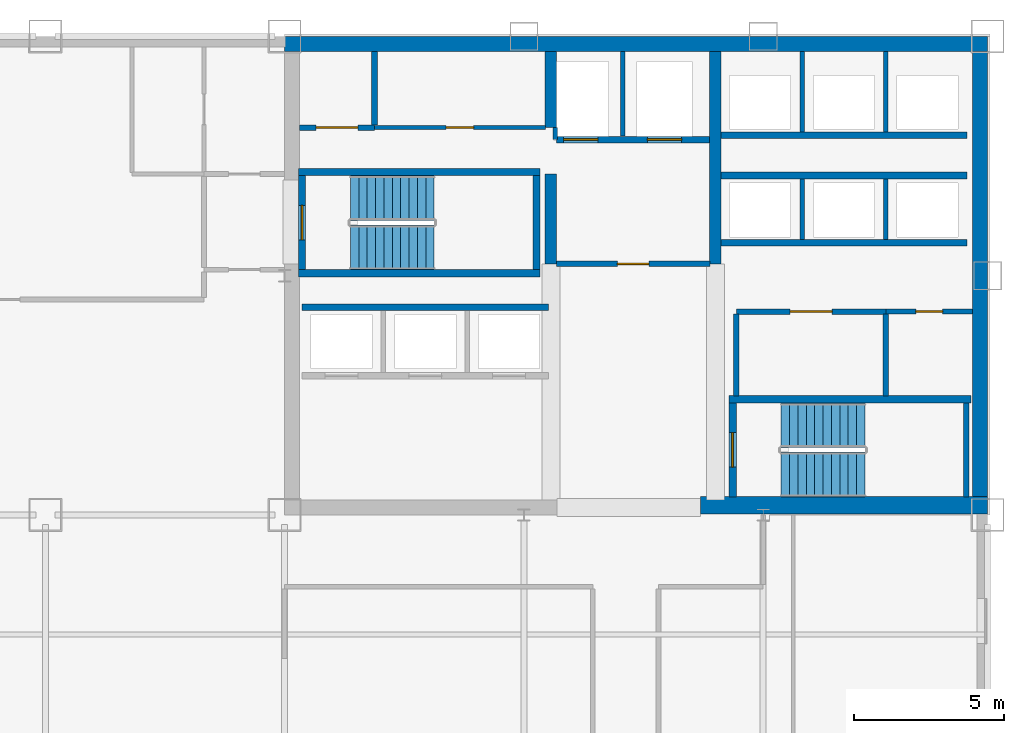
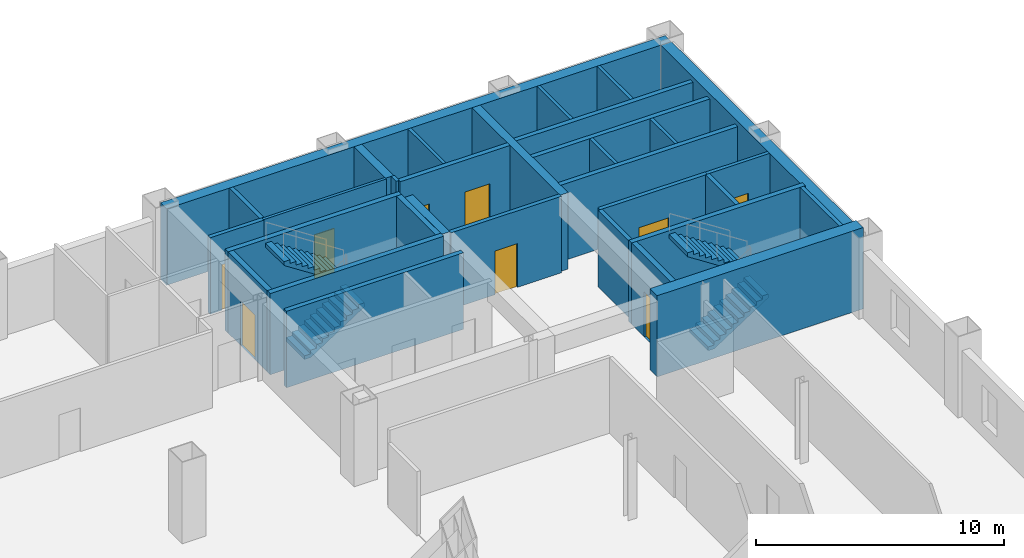
# One storey, part 7 of 9: 32 walls, 9 doors, 4 stair flights, 9 openings, 2 elements without a shape of their own.
"""IFC4 building model written with IfcOpenShell, lengths in metres."""

from ifc_helpers import new_model, si_unit, direction, frame, frame_2d, origin, place, context, subcontext, project, spatial, polyline, rectangle, outline, extrude, material, layer, layer_set, type_object, element, fill, aggregate, save


model = new_model("IFC4")

# Units and contexts
model_context = context("Model", 3, precision=1e-05, world=origin(), true_north=direction((0.0, 1.0)))
body_context = subcontext(model_context, "Body", "Model", "MODEL_VIEW")
ifc_project = project(units=[si_unit("LENGTHUNIT", "METRE"), si_unit("AREAUNIT", "SQUARE_METRE"), si_unit("VOLUMEUNIT", "CUBIC_METRE"), si_unit("PLANEANGLEUNIT", "RADIAN"), si_unit("MASSUNIT", "GRAM", prefix="KILO")], contexts=[model_context])

# Site, building, storey
site_placement = place(None, origin())
site = spatial("IfcSite", under=ifc_project, at=site_placement, CompositionType="ELEMENT")
building_placement = place(site_placement, origin())
building = spatial("IfcBuilding", under=site, at=building_placement, Name="Qianrong Seaharbour Tower", CompositionType="ELEMENT")
storey_placement = place(building_placement, frame((0.0, 0.0, 163.0)))
storey = spatial("IfcBuildingStorey", under=building, at=storey_placement, Name="L39", CompositionType="ELEMENT", Elevation=163.0)

# Walls
ifc_material_1 = material(Name="Concrete C60/75", Category="concrete")
ifc_layer_1 = layer(ifc_material_1, 0.5)
ifc_layer_set_1 = layer_set([ifc_layer_1], Name="Concrete C60/75")
wall_type_1 = type_object("IfcWallType", Name="WALL-CORE-500", PredefinedType="SHEAR", material=ifc_layer_set_1)
wall_1_placement = place(storey_placement, frame((40.5, 51.75, 0.0), z_axis=(0.0, 0.0, 1.0), x_axis=(1.0, 0.0, 0.0)))
element("IfcWall", 1, at=wall_1_placement, inside=storey, type_object=wall_type_1, Name="L39 North Core Shear Wall", PredefinedType="SHEAR", context=body_context, shape_type="SweptSolid", body=[
    extrude(rectangle(XDim=23.5, YDim=0.5, at=frame_2d((11.75, 0.0))), origin(), (0.0, 0.0, 1.0), 3.764892578125),
])
wall_2_placement = place(storey_placement, frame((63.75, 36.320068359375, 0.0), z_axis=(0.0, 0.0, 1.0), x_axis=(0.0, 1.0, 0.0)))
element("IfcWall", 2, at=wall_2_placement, inside=storey, type_object=wall_type_1, Name="L39 East Core Shear Wall", PredefinedType="SHEAR", context=body_context, shape_type="SweptSolid", body=[
    extrude(rectangle(XDim=15.179931640625, YDim=0.5, at=frame_2d((7.58984375, 0.0))), origin(), (0.0, 0.0, 1.0), 3.764892578125),
])
ifc_material_2 = material(Name="Concrete C70/85", Category="concrete")
ifc_layer_2 = layer(ifc_material_2, 0.580078125)
ifc_layer_set_2 = layer_set([ifc_layer_2], Name="Concrete C70/85")
wall_type_2 = type_object("IfcWallType", Name="WALL-CORE-580", PredefinedType="SHEAR", material=ifc_layer_set_2)
wall_3_placement = place(storey_placement, frame((54.39990234375, 36.320068359375, 0.0), z_axis=(0.0, 0.0, 1.0), x_axis=(1.0, 0.0, 0.0)))
element("IfcWall", 3, at=wall_3_placement, inside=storey, type_object=wall_type_2, Name="L39 South Core Shear Wall S3", PredefinedType="SHEAR", context=body_context, shape_type="SweptSolid", body=[
    extrude(rectangle(XDim=9.60009765625, YDim=0.580078125, at=frame_2d((4.800048828125, 0.0))), origin(), (0.0, 0.0, 1.0), 4.0),
])
ifc_layer_3 = layer(ifc_material_1, 0.3798828125)
ifc_layer_set_3 = layer_set([ifc_layer_3], Name="Concrete C60/75")
wall_type_3 = type_object("IfcWallType", Name="WALL-CORE-INT-380", PredefinedType="SHEAR", material=ifc_layer_set_3)
wall_4_placement = place(storey_placement, frame((49.39990234375, 44.39990234375, 0.0), z_axis=(0.0, 0.0, 1.0), x_axis=(0.0, 1.0, 0.0)))
element("IfcWall", 4, at=wall_4_placement, inside=storey, type_object=wall_type_3, Name="L39 Internal Core Shear Wall IW1N1", PredefinedType="SHEAR", context=body_context, shape_type="SweptSolid", body=[
    extrude(rectangle(XDim=3.0, YDim=0.3798828125, at=frame_2d((1.5, 0.0))), origin(), (0.0, 0.0, 1.0), 3.764892578125),
])
wall_5_placement = place(storey_placement, frame((49.39990234375, 48.949951171875, 0.0), z_axis=(0.0, 0.0, 1.0), x_axis=(0.0, 1.0, 0.0)))
element("IfcWall", 5, at=wall_5_placement, inside=storey, type_object=wall_type_3, Name="L39 Internal Core Shear Wall IW1N2", PredefinedType="SHEAR", context=body_context, shape_type="SweptSolid", body=[
    extrude(rectangle(XDim=2.550048828125, YDim=0.3798828125, at=frame_2d((1.27490234375, 0.0))), origin(), (0.0, 0.0, 1.0), 3.764892578125),
])
wall_6_placement = place(storey_placement, frame((54.89990234375, 44.39990234375, 0.0), z_axis=(0.0, 0.0, 1.0), x_axis=(0.0, 1.0, 0.0)))
element("IfcWall", 6, at=wall_6_placement, inside=storey, type_object=wall_type_3, Name="L39 Internal Core Shear Wall IW2N", PredefinedType="SHEAR", context=body_context, shape_type="SweptSolid", body=[
    extrude(rectangle(XDim=7.10009765625, YDim=0.3798828125, at=frame_2d((3.550048828125, 0.0))), origin(), (0.0, 0.0, 1.0), 3.764892578125),
])

# Wall, opening, door
ifc_material_3 = material(Name="Fire-rated acoustic gypsum board partition")
ifc_layer_4 = layer(ifc_material_3, 0.1650390625)
ifc_layer_set_4 = layer_set([ifc_layer_4], Name="Fire-rated acoustic gypsum board partition")
wall_type_4 = type_object("IfcWallType", Name="WALL-CORR-PART-165", PredefinedType="PARTITIONING", material=ifc_layer_set_4)
wall_7_placement = place(storey_placement, frame((63.5, 42.800048828125, 0.0), z_axis=(0.0, 0.0, 1.0), x_axis=(-1.0, 0.0, 0.0)))
wall_7 = element("IfcWall", 7, at=wall_7_placement, inside=storey, type_object=wall_type_4, Name="L39 Interior Partition Wall 012", PredefinedType="PARTITIONING", context=body_context, shape_type="SweptSolid", body=[
    extrude(rectangle(XDim=2.89990234375, YDim=0.1650390625, at=frame_2d((1.449951171875, 0.0))), origin(), (0.0, 0.0, 1.0), 3.764892578125),
])
opening_1_placement = place(wall_7_placement, frame((1.0, 0.0, 0.0)))
opening_1 = element("IfcOpeningElement", 8, at=opening_1_placement, cuts=wall_7, Name="Opening DS-01", PredefinedType="OPENING", context=body_context, shape_type="SweptSolid", body=[
    extrude(rectangle(XDim=0.89990234375, YDim=2.14990234375, at=frame_2d((0.449951171875, 1.074951171875))), frame((0.0, 0.092529296875, 0.0), z_axis=(0.0, -1.0, 0.0), x_axis=(1.0, 0.0, 0.0)), (0.0, 0.0, 1.0), 0.18505859375),
])
ifc_material_4 = material(Name="Acoustic timber and galvanized steel fire door assembly", Category="steel")
door_type_1 = type_object("IfcDoorType", Name="DOOR-STORE-900x2150", OperationType="NOTDEFINED", PredefinedType="DOOR", material=ifc_material_4)
door_1_placement = place(opening_1_placement, origin())
door_1 = element("IfcDoor", 9, at=door_1_placement, inside=storey, type_object=door_type_1, Name="L39 Housekeeping Linen Store Door", OperationType="SINGLE_SWING_RIGHT", OverallHeight=2.14990234375, OverallWidth=0.89990234375, PredefinedType="DOOR", context=body_context, shape_type="SweptSolid", body=[
    extrude(rectangle(XDim=0.89990234375, YDim=2.14990234375, at=frame_2d((0.449951171875, 1.074951171875))), frame((0.0, 0.02490234375, 0.0), z_axis=(0.0, -1.0, 0.0), x_axis=(1.0, 0.0, 0.0)), (0.0, 0.0, 1.0), 0.050048828125),
])
fill(opening_1, door_1)

ifc_material_5 = material(Name="Double fire-rated gypsum board acoustic partition")
ifc_layer_5 = layer(ifc_material_5, 0.18994140625)
ifc_layer_set_5 = layer_set([ifc_layer_5], Name="Double fire-rated gypsum board acoustic partition")
wall_type_5 = type_object("IfcWallType", Name="WALL-FIRE-PART-190", PredefinedType="PARTITIONING", material=ifc_layer_set_5)
wall_8_placement = place(storey_placement, frame((41.0, 48.949951171875, 0.0), z_axis=(0.0, 0.0, 1.0), x_axis=(1.0, 0.0, 0.0)))
wall_8 = element("IfcWall", 10, at=wall_8_placement, inside=storey, type_object=wall_type_5, Name="L39 Interior Partition Wall 007", PredefinedType="PARTITIONING", context=body_context, shape_type="SweptSolid", body=[
    extrude(rectangle(XDim=2.5, YDim=0.18994140625, at=frame_2d((1.25, 0.0))), origin(), (0.0, 0.0, 1.0), 3.764892578125),
])
opening_2_placement = place(wall_8_placement, frame((0.550048828125, 0.0, 0.0)))
opening_2 = element("IfcOpeningElement", 11, at=opening_2_placement, cuts=wall_8, Name="Opening DP-01", PredefinedType="OPENING", context=body_context, shape_type="SweptSolid", body=[
    extrude(rectangle(XDim=1.39990234375, YDim=2.25, at=frame_2d((0.699951171875, 1.125))), frame((0.0, 0.10498046875, 0.0), z_axis=(0.0, -1.0, 0.0), x_axis=(1.0, 0.0, 0.0)), (0.0, 0.0, 1.0), 0.2099609375),
])
door_type_2 = type_object("IfcDoorType", Name="DOOR-PLANT-PAIR-1400x2250", OperationType="DOUBLE_DOOR_SINGLE_SWING", PredefinedType="DOOR", material=ifc_material_4)
door_2_placement = place(opening_2_placement, origin())
door_2 = element("IfcDoor", 12, at=door_2_placement, inside=storey, type_object=door_type_2, Name="L39 Core Electrical Closet Door", OperationType="DOUBLE_DOOR_SINGLE_SWING", OverallHeight=2.25, OverallWidth=1.39990234375, PredefinedType="DOOR", context=body_context, shape_type="SweptSolid", body=[
    extrude(rectangle(XDim=1.39990234375, YDim=2.25, at=frame_2d((0.699951171875, 1.125))), frame((0.0, 0.02490234375, 0.0), z_axis=(0.0, -1.0, 0.0), x_axis=(1.0, 0.0, 0.0)), (0.0, 0.0, 1.0), 0.050048828125),
])
fill(opening_2, door_2)

wall_9_placement = place(storey_placement, frame((54.718017578125, 44.39990234375, 0.0), z_axis=(0.0, 0.0, 1.0), x_axis=(-1.0, 0.0, 0.0)))
wall_9 = element("IfcWall", 13, at=wall_9_placement, inside=storey, type_object=wall_type_5, Name="L39 Interior Partition Wall 009", PredefinedType="PARTITIONING", context=body_context, shape_type="SweptSolid", body=[
    extrude(rectangle(XDim=5.135986328125, YDim=0.18994140625, at=frame_2d((2.56787109375, 0.0))), origin(), (0.0, 0.0, 1.0), 3.764892578125),
])
opening_3_placement = place(wall_9_placement, frame((2.04296875, 0.0, 0.0)))
opening_3 = element("IfcOpeningElement", 14, at=opening_3_placement, cuts=wall_9, Name="Opening DC-01", PredefinedType="OPENING", context=body_context, shape_type="SweptSolid", body=[
    extrude(rectangle(XDim=1.050048828125, YDim=2.14990234375, at=frame_2d((0.52490234375, 1.074951171875))), frame((0.0, 0.10498046875, 0.0), z_axis=(0.0, -1.0, 0.0), x_axis=(1.0, 0.0, 0.0)), (0.0, 0.0, 1.0), 0.2099609375),
])
door_type_3 = type_object("IfcDoorType", Name="DOOR-CORR-FD60-1050x2150", OperationType="NOTDEFINED", PredefinedType="DOOR", material=ifc_material_4)
door_3_placement = place(opening_3_placement, origin())
door_3 = element("IfcDoor", 15, at=door_3_placement, inside=storey, type_object=door_type_3, Name="L39 Firefighting Lift Lobby Door", OperationType="SINGLE_SWING_RIGHT", OverallHeight=2.14990234375, OverallWidth=1.050048828125, PredefinedType="DOOR", context=body_context, shape_type="SweptSolid", body=[
    extrude(rectangle(XDim=1.050048828125, YDim=2.14990234375, at=frame_2d((0.52490234375, 1.074951171875))), frame((0.0, 0.02490234375, 0.0), z_axis=(0.0, -1.0, 0.0), x_axis=(1.0, 0.0, 0.0)), (0.0, 0.0, 1.0), 0.050048828125),
])
fill(opening_3, door_3)

# Wall
wall_10_placement = place(storey_placement, frame((55.60009765625, 42.712890625, 0.0), z_axis=(0.0, 0.0, 1.0), x_axis=(0.0, -1.0, 0.0)))
element("IfcWall", 16, at=wall_10_placement, inside=storey, type_object=wall_type_5, Name="L39 Interior Partition Wall 010", PredefinedType="PARTITIONING", context=body_context, shape_type="SweptSolid", body=[
    extrude(rectangle(XDim=2.73095703125, YDim=0.18994140625, at=frame_2d((1.365478515625, 0.0))), origin(), (0.0, 0.0, 1.0), 3.764892578125),
])

# Wall, opening, door
wall_11_placement = place(storey_placement, frame((60.60009765625, 42.800048828125, 0.0), z_axis=(0.0, 0.0, 1.0), x_axis=(-1.0, 0.0, 0.0)))
wall_11 = element("IfcWall", 17, at=wall_11_placement, inside=storey, type_object=wall_type_5, Name="L39 Interior Partition Wall 011", PredefinedType="PARTITIONING", context=body_context, shape_type="SweptSolid", body=[
    extrude(rectangle(XDim=5.0, YDim=0.18994140625, at=frame_2d((2.5, 0.0))), origin(), (0.0, 0.0, 1.0), 3.764892578125),
])
opening_4_placement = place(wall_11_placement, frame((1.800048828125, 0.0, 0.0)))
opening_4 = element("IfcOpeningElement", 18, at=opening_4_placement, cuts=wall_11, Name="Opening DP-01", PredefinedType="OPENING", context=body_context, shape_type="SweptSolid", body=[
    extrude(rectangle(XDim=1.39990234375, YDim=2.25, at=frame_2d((0.699951171875, 1.125))), frame((0.0, 0.10498046875, 0.0), z_axis=(0.0, -1.0, 0.0), x_axis=(1.0, 0.0, 0.0)), (0.0, 0.0, 1.0), 0.2099609375),
])
door_4_placement = place(opening_4_placement, origin())
door_4 = element("IfcDoor", 19, at=door_4_placement, inside=storey, type_object=door_type_2, Name="L39 Submetering Switch Room Door", OperationType="DOUBLE_DOOR_SINGLE_SWING", OverallHeight=2.25, OverallWidth=1.39990234375, PredefinedType="DOOR", context=body_context, shape_type="SweptSolid", body=[
    extrude(rectangle(XDim=1.39990234375, YDim=2.25, at=frame_2d((0.699951171875, 1.125))), frame((0.0, 0.02490234375, 0.0), z_axis=(0.0, -1.0, 0.0), x_axis=(1.0, 0.0, 0.0)), (0.0, 0.0, 1.0), 0.050048828125),
])
fill(opening_4, door_4)

# Walls
wall_12_placement = place(storey_placement, frame((43.5, 51.5, 0.0), z_axis=(0.0, 0.0, 1.0), x_axis=(0.0, -1.0, 0.0)))
element("IfcWall", 20, at=wall_12_placement, inside=storey, type_object=wall_type_5, Name="L39 Interior Partition Wall 013", PredefinedType="PARTITIONING", context=body_context, shape_type="SweptSolid", body=[
    extrude(rectangle(XDim=2.462890625, YDim=0.18994140625, at=frame_2d((1.2314453125, 0.0))), origin(), (0.0, 0.0, 1.0), 3.764892578125),
])
wall_13_placement = place(storey_placement, frame((60.60009765625, 42.712890625, 0.0), z_axis=(0.0, 0.0, 1.0), x_axis=(0.0, -1.0, 0.0)))
element("IfcWall", 21, at=wall_13_placement, inside=storey, type_object=wall_type_5, Name="L39 Interior Partition Wall 014", PredefinedType="PARTITIONING", context=body_context, shape_type="SweptSolid", body=[
    extrude(rectangle(XDim=2.73095703125, YDim=0.18994140625, at=frame_2d((1.365478515625, 0.0))), origin(), (0.0, 0.0, 1.0), 3.764892578125),
])
ifc_material_6 = material(Name="Fire-rated gypsum board on steel studs", Category="steel")
ifc_layer_6 = layer(ifc_material_6, 0.14990234375)
ifc_layer_set_6 = layer_set([ifc_layer_6], Name="Fire-rated gypsum board on steel studs")
wall_type_6 = type_object("IfcWallType", Name="WALL-SHAFT-DIV-150", PredefinedType="PARTITIONING", material=ifc_layer_set_6)
wall_14_placement = place(storey_placement, frame((51.800048828125, 48.669921875, 0.0), z_axis=(0.0, 0.0, 1.0), x_axis=(0.0, 1.0, 0.0)))
element("IfcWall", 22, at=wall_14_placement, inside=storey, type_object=wall_type_6, Name="L39 Firefighting Lift Shaft Divider Wall", PredefinedType="PARTITIONING", context=body_context, shape_type="SweptSolid", body=[
    extrude(rectangle(XDim=2.830078125, YDim=0.14990234375, at=frame_2d((1.4150390625, 0.0))), origin(), (0.0, 0.0, 1.0), 3.764892578125),
])
wall_15_placement = place(storey_placement, frame((49.550048828125, 48.550048828125, 0.0), z_axis=(0.0, 0.0, 1.0), x_axis=(0.0, 1.0, 0.0)))
element("IfcWall", 23, at=wall_15_placement, inside=storey, type_object=wall_type_6, Name="L39 Firefighting Lift Shaft West Return Wall", PredefinedType="PARTITIONING", context=body_context, shape_type="SweptSolid", body=[
    extrude(rectangle(XDim=0.39990234375, YDim=0.14990234375, at=frame_2d((0.199951171875, 0.0))), origin(), (0.0, 0.0, 1.0), 3.764892578125),
])
for number, where, z_axis, x_axis, name in (
    (24, (57.800048828125, 45.2099609375, 0.0), (0.0, 0.0, 1.0), (0.0, 1.0, 0.0), "L39 P3 Lift Hoistway Divider 2"),
    (25, (60.60009765625, 45.2099609375, 0.0), (0.0, 0.0, 1.0), (0.0, 1.0, 0.0), "L39 P3 Lift Hoistway Divider 3"),
):
    element("IfcWall", number, at=place(storey_placement, frame(where, z_axis=z_axis, x_axis=x_axis)), inside=storey, type_object=wall_type_6, Name=name, PredefinedType="PARTITIONING", context=body_context, shape_type="SweptSolid", body=[
        extrude(rectangle(XDim=2.030029296875, YDim=0.14990234375, at=frame_2d((1.01513671875, 0.0))), origin(), (0.0, 0.0, 1.0), 3.764892578125),
    ])
for number, where, z_axis, x_axis, name in (
    (26, (57.800048828125, 48.81005859375, 0.0), (0.0, 0.0, 1.0), (0.0, 1.0, 0.0), "L39 P4 Lift Hoistway Divider 2"),
    (27, (60.60009765625, 48.81005859375, 0.0), (0.0, 0.0, 1.0), (0.0, 1.0, 0.0), "L39 P4 Lift Hoistway Divider 3"),
):
    element("IfcWall", number, at=place(storey_placement, frame(where, z_axis=z_axis, x_axis=x_axis)), inside=storey, type_object=wall_type_6, Name=name, PredefinedType="PARTITIONING", context=body_context, shape_type="SweptSolid", body=[
        extrude(rectangle(XDim=2.68994140625, YDim=0.14990234375, at=frame_2d((1.344970703125, 0.0))), origin(), (0.0, 0.0, 1.0), 3.764892578125),
    ])

# Wall, openings, doors
ifc_layer_7 = layer(ifc_material_6, 0.219970703125)
ifc_layer_set_7 = layer_set([ifc_layer_7], Name="Fire-rated gypsum board on steel studs")
wall_type_7 = type_object("IfcWallType", Name="WALL-SHAFT-GYP220", PredefinedType="PARTITIONING", material=ifc_layer_set_7)
wall_16_placement = place(storey_placement, frame((54.7099609375, 48.550048828125, 0.0), z_axis=(0.0, 0.0, 1.0), x_axis=(-1.0, 0.0, 0.0)))
wall_16 = element("IfcWall", 28, at=wall_16_placement, inside=storey, type_object=wall_type_7, Name="L39 Firefighting Lift Shaft Front Wall", PredefinedType="PARTITIONING", context=body_context, shape_type="SweptSolid", body=[
    extrude(rectangle(XDim=5.119873046875, YDim=0.219970703125, at=frame_2d((2.56005859375, 0.0))), origin(), (0.0, 0.0, 1.0), 3.764892578125),
])
opening_5_placement = place(wall_16_placement, frame((3.735107421875, 0.0, 0.0)))
opening_5 = element("IfcOpeningElement", 29, at=opening_5_placement, cuts=wall_16, Name="Opening LD-01", PredefinedType="OPENING", context=body_context, shape_type="SweptSolid", body=[
    extrude(rectangle(XDim=1.14990234375, YDim=2.199951171875, at=frame_2d((0.574951171875, 1.10009765625))), frame((0.0, 0.1201171875, 0.0), z_axis=(0.0, -1.0, 0.0), x_axis=(1.0, 0.0, 0.0)), (0.0, 0.0, 1.0), 0.239990234375),
])
opening_6_placement = place(wall_16_placement, frame((0.93505859375, 0.0, 0.0)))
opening_6 = element("IfcOpeningElement", 30, at=opening_6_placement, cuts=wall_16, Name="Opening LD-01", PredefinedType="OPENING", context=body_context, shape_type="SweptSolid", body=[
    extrude(rectangle(XDim=1.14990234375, YDim=2.199951171875, at=frame_2d((0.574951171875, 1.10009765625))), frame((0.0, 0.1201171875, 0.0), z_axis=(0.0, -1.0, 0.0), x_axis=(1.0, 0.0, 0.0)), (0.0, 0.0, 1.0), 0.239990234375),
])
ifc_material_7 = material(Name="Stainless steel SUS316L bi-parting lift landing door", Category="steel")
door_type_4 = type_object("IfcDoorType", Name="DOOR-LIFT-FF-1150x2200", OperationType="DOUBLE_DOOR_SLIDING", PredefinedType="DOOR", material=ifc_material_7)
door_5_placement = place(opening_5_placement, origin())
door_5 = element("IfcDoor", 31, at=door_5_placement, inside=storey, type_object=door_type_4, Name="L39 FL-1 Firefighting Lift Landing Door", OperationType="DOUBLE_DOOR_SLIDING", OverallHeight=2.199951171875, OverallWidth=1.14990234375, PredefinedType="DOOR", context=body_context, shape_type="SweptSolid", body=[
    extrude(rectangle(XDim=1.14990234375, YDim=2.199951171875, at=frame_2d((0.574951171875, 1.10009765625))), frame((0.0, 0.02490234375, 0.0), z_axis=(0.0, -1.0, 0.0), x_axis=(1.0, 0.0, 0.0)), (0.0, 0.0, 1.0), 0.050048828125),
])
fill(opening_5, door_5)
door_6_placement = place(opening_6_placement, origin())
door_6 = element("IfcDoor", 32, at=door_6_placement, inside=storey, type_object=door_type_4, Name="L39 FL-2 Firefighting Lift Landing Door", OperationType="DOUBLE_DOOR_SLIDING", OverallHeight=2.199951171875, OverallWidth=1.14990234375, PredefinedType="DOOR", context=body_context, shape_type="SweptSolid", body=[
    extrude(rectangle(XDim=1.14990234375, YDim=2.199951171875, at=frame_2d((0.574951171875, 1.10009765625))), frame((0.0, 0.02490234375, 0.0), z_axis=(0.0, -1.0, 0.0), x_axis=(1.0, 0.0, 0.0)), (0.0, 0.0, 1.0), 0.050048828125),
])
fill(opening_6, door_6)

# Walls
for number, where, z_axis, x_axis, name in (
    (33, (41.080078125, 42.949951171875, 0.0), (0.0, 0.0, 1.0), (1.0, 0.0, 0.0), "L39 P2 Lift Hoistway Back Wall"),
    (34, (63.320068359375, 45.10009765625, 0.0), (0.0, 0.0, 1.0), (-1.0, 0.0, 0.0), "L39 P3 Lift Hoistway Front Wall"),
    (35, (55.080078125, 47.35009765625, 0.0), (0.0, 0.0, 1.0), (1.0, 0.0, 0.0), "L39 P3 Lift Hoistway Back Wall"),
    (36, (63.320068359375, 48.699951171875, 0.0), (0.0, 0.0, 1.0), (-1.0, 0.0, 0.0), "L39 P4 Lift Hoistway Front Wall"),
):
    element("IfcWall", number, at=place(storey_placement, frame(where, z_axis=z_axis, x_axis=x_axis)), inside=storey, type_object=wall_type_7, Name=name, PredefinedType="PARTITIONING", context=body_context, shape_type="SweptSolid", body=[
        extrude(rectangle(XDim=8.239990234375, YDim=0.219970703125, at=frame_2d((4.1201171875, 0.0))), origin(), (0.0, 0.0, 1.0), 3.764892578125),
    ])
ifc_material_8 = material(Name="Concrete C50/60", Category="concrete")
ifc_layer_8 = layer(ifc_material_8, 0.239990234375)
ifc_layer_set_8 = layer_set([ifc_layer_8], Name="Concrete C50/60")
wall_type_8 = type_object("IfcWallType", Name="WALL-SHAFT-RC240", PredefinedType="SOLIDWALL", material=ifc_layer_set_8)
for number, where, z_axis, x_axis, name in (
    (37, (40.9599609375, 47.469970703125, 0.0), (0.0, 0.0, 1.0), (1.0, 0.0, 0.0), "L39 ST-1 Structural Stair Core Wall N"),
    (38, (49.0400390625, 44.080078125, 0.0), (0.0, 0.0, 1.0), (-1.0, 0.0, 0.0), "L39 ST-1 Structural Stair Core Wall S"),
):
    element("IfcWall", number, at=place(storey_placement, frame(where, z_axis=z_axis, x_axis=x_axis)), inside=storey, type_object=wall_type_8, Name=name, PredefinedType="SOLIDWALL", context=body_context, shape_type="SweptSolid", body=[
        extrude(rectangle(XDim=8.080078125, YDim=0.239990234375, at=frame_2d((4.0400390625, 0.0))), origin(), (0.0, 0.0, 1.0), 4.0),
    ])

# Wall, opening, door
wall_17_placement = place(storey_placement, frame((41.080078125, 47.35009765625, 0.0), z_axis=(0.0, 0.0, 1.0), x_axis=(0.0, -1.0, 0.0)))
wall_17 = element("IfcWall", 39, at=wall_17_placement, inside=storey, type_object=wall_type_8, Name="L39 ST-1 Structural Stair Core Wall W", PredefinedType="SOLIDWALL", context=body_context, shape_type="SweptSolid", body=[
    extrude(rectangle(XDim=3.150146484375, YDim=0.239990234375, at=frame_2d((1.5751953125, 0.0))), origin(), (0.0, 0.0, 1.0), 4.0),
])
opening_7_placement = place(wall_17_placement, frame((1.0, 0.0, 0.0)))
opening_7 = element("IfcOpeningElement", 40, at=opening_7_placement, cuts=wall_17, Name="Opening SD-01", PredefinedType="OPENING", context=body_context, shape_type="SweptSolid", body=[
    extrude(rectangle(XDim=1.14990234375, YDim=2.199951171875, at=frame_2d((0.574951171875, 1.10009765625))), frame((0.0, 0.1298828125, 0.0), z_axis=(0.0, -1.0, 0.0), x_axis=(1.0, 0.0, 0.0)), (0.0, 0.0, 1.0), 0.260009765625),
])
door_type_5 = type_object("IfcDoorType", Name="DOOR-STAIR-FD60-1150x2200", OperationType="NOTDEFINED", PredefinedType="DOOR", material=ifc_material_4)
door_7_placement = place(opening_7_placement, origin())
door_7 = element("IfcDoor", 41, at=door_7_placement, inside=storey, type_object=door_type_5, Name="L39 ST-1 Protected Stair Door", OperationType="SINGLE_SWING_RIGHT", OverallHeight=2.199951171875, OverallWidth=1.14990234375, PredefinedType="DOOR", context=body_context, shape_type="SweptSolid", body=[
    extrude(rectangle(XDim=1.14990234375, YDim=2.199951171875, at=frame_2d((0.574951171875, 1.10009765625))), frame((0.0, 0.02490234375, 0.0), z_axis=(0.0, -1.0, 0.0), x_axis=(1.0, 0.0, 0.0)), (0.0, 0.0, 1.0), 0.050048828125),
])
fill(opening_7, door_7)

# Walls
wall_18_placement = place(storey_placement, frame((48.919921875, 44.199951171875, 0.0), z_axis=(0.0, 0.0, 1.0), x_axis=(0.0, 1.0, 0.0)))
element("IfcWall", 42, at=wall_18_placement, inside=storey, type_object=wall_type_8, Name="L39 ST-1 Structural Stair Core Wall E", PredefinedType="SOLIDWALL", context=body_context, shape_type="SweptSolid", body=[
    extrude(rectangle(XDim=3.150146484375, YDim=0.239990234375, at=frame_2d((1.5751953125, 0.0))), origin(), (0.0, 0.0, 1.0), 4.0),
])
wall_19_placement = place(storey_placement, frame((55.360107421875, 39.8701171875, 0.0), z_axis=(0.0, 0.0, 1.0), x_axis=(1.0, 0.0, 0.0)))
element("IfcWall", 43, at=wall_19_placement, inside=storey, type_object=wall_type_8, Name="L39 ST-2 Structural Stair Core Wall N", PredefinedType="SOLIDWALL", context=body_context, shape_type="SweptSolid", body=[
    extrude(rectangle(XDim=8.079833984375, YDim=0.239990234375, at=frame_2d((4.0400390625, 0.0))), origin(), (0.0, 0.0, 1.0), 4.0),
])

# Wall, opening, door
wall_20_placement = place(storey_placement, frame((55.47998046875, 39.75, 0.0), z_axis=(0.0, 0.0, 1.0), x_axis=(0.0, -1.0, 0.0)))
wall_20 = element("IfcWall", 44, at=wall_20_placement, inside=storey, type_object=wall_type_8, Name="L39 ST-2 Structural Stair Core Wall W", PredefinedType="SOLIDWALL", context=body_context, shape_type="SweptSolid", body=[
    extrude(rectangle(XDim=3.14990234375, YDim=0.239990234375, at=frame_2d((1.574951171875, 0.0))), origin(), (0.0, 0.0, 1.0), 4.0),
])
opening_8_placement = place(wall_20_placement, frame((1.0, 0.0, 0.0)))
opening_8 = element("IfcOpeningElement", 45, at=opening_8_placement, cuts=wall_20, Name="Opening SD-01", PredefinedType="OPENING", context=body_context, shape_type="SweptSolid", body=[
    extrude(rectangle(XDim=1.14990234375, YDim=2.199951171875, at=frame_2d((0.574951171875, 1.10009765625))), frame((0.0, 0.1298828125, 0.0), z_axis=(0.0, -1.0, 0.0), x_axis=(1.0, 0.0, 0.0)), (0.0, 0.0, 1.0), 0.260009765625),
])
door_8_placement = place(opening_8_placement, origin())
door_8 = element("IfcDoor", 46, at=door_8_placement, inside=storey, type_object=door_type_5, Name="L39 ST-2 Protected Stair Door", OperationType="SINGLE_SWING_RIGHT", OverallHeight=2.199951171875, OverallWidth=1.14990234375, PredefinedType="DOOR", context=body_context, shape_type="SweptSolid", body=[
    extrude(rectangle(XDim=1.14990234375, YDim=2.199951171875, at=frame_2d((0.574951171875, 1.10009765625))), frame((0.0, 0.02490234375, 0.0), z_axis=(0.0, -1.0, 0.0), x_axis=(1.0, 0.0, 0.0)), (0.0, 0.0, 1.0), 0.050048828125),
])
fill(opening_8, door_8)

# Wall
wall_21_placement = place(storey_placement, frame((63.2900390625, 36.60009765625, 0.0), z_axis=(0.0, 0.0, 1.0), x_axis=(0.0, 1.0, 0.0)))
element("IfcWall", 47, at=wall_21_placement, inside=storey, type_object=wall_type_8, Name="L39 ST-2 Structural Stair Core Wall E", PredefinedType="SOLIDWALL", context=body_context, shape_type="SweptSolid", body=[
    extrude(rectangle(XDim=3.14990234375, YDim=0.179931640625, at=frame_2d((1.574951171875, 0.0))), origin(), (0.0, 0.0, 1.0), 4.0),
])

# Wall, opening, door
ifc_material_9 = material(Name="Water-resistant cement board sanitary partition")
ifc_layer_9 = layer(ifc_material_9, 0.1298828125)
ifc_layer_set_9 = layer_set([ifc_layer_9], Name="Water-resistant cement board sanitary partition")
wall_type_9 = type_object("IfcWallType", Name="WALL-WET-PART-130", PredefinedType="PARTITIONING", material=ifc_layer_set_9)
wall_22_placement = place(storey_placement, frame((43.5, 48.949951171875, 0.0), z_axis=(0.0, 0.0, 1.0), x_axis=(1.0, 0.0, 0.0)))
wall_22 = element("IfcWall", 48, at=wall_22_placement, inside=storey, type_object=wall_type_9, Name="L39 Interior Partition Wall 008", PredefinedType="PARTITIONING", context=body_context, shape_type="SweptSolid", body=[
    extrude(rectangle(XDim=5.718017578125, YDim=0.1298828125, at=frame_2d((2.85888671875, 0.0))), origin(), (0.0, 0.0, 1.0), 3.764892578125),
])
opening_9_placement = place(wall_22_placement, frame((2.39892578125, 0.0, 0.0)))
opening_9 = element("IfcOpeningElement", 49, at=opening_9_placement, cuts=wall_22, Name="Opening DW-01", PredefinedType="OPENING", context=body_context, shape_type="SweptSolid", body=[
    extrude(rectangle(XDim=0.919921875, YDim=2.14990234375, at=frame_2d((0.4599609375, 1.074951171875))), frame((0.0, 0.074951171875, 0.0), z_axis=(0.0, -1.0, 0.0), x_axis=(1.0, 0.0, 0.0)), (0.0, 0.0, 1.0), 0.14990234375),
])
door_type_6 = type_object("IfcDoorType", Name="DOOR-WC-920x2150", OperationType="NOTDEFINED", PredefinedType="DOOR", material=ifc_material_4)
door_9_placement = place(opening_9_placement, origin())
door_9 = element("IfcDoor", 50, at=door_9_placement, inside=storey, type_object=door_type_6, Name="L39 Staff Restroom WC Door", OperationType="SINGLE_SWING_LEFT", OverallHeight=2.14990234375, OverallWidth=0.919921875, PredefinedType="DOOR", context=body_context, shape_type="SweptSolid", body=[
    extrude(rectangle(XDim=0.919921875, YDim=2.14990234375, at=frame_2d((0.4599609375, 1.074951171875))), frame((0.0, 0.02490234375, 0.0), z_axis=(0.0, -1.0, 0.0), x_axis=(1.0, 0.0, 0.0)), (0.0, 0.0, 1.0), 0.050048828125),
])
fill(opening_9, door_9)

# Stair, stair flights
stair_type = type_object("IfcStairType", Name="STAIR-DOGLEG-1500-R22", PredefinedType="HALF_TURN_STAIR", material=ifc_material_8)
stair_1_placement = place(storey_placement, origin())
stair_1 = element("IfcStair", 51, at=stair_1_placement, inside=storey, type_object=stair_type, Name="L39 Protected Escape Stair ST-1", PredefinedType="HALF_TURN_STAIR")
stair_flight_type = type_object("IfcStairFlightType", Name="FLIGHT-STR-1500-R22", PredefinedType="STRAIGHT", material=ifc_material_8)
stair_flight_1_placement = place(storey_placement, frame((42.699951171875, 44.949951171875, 0.0), z_axis=(0.0, 0.0, 1.0), x_axis=(1.0, 0.0, 0.0)))
stair_flight_1 = element("IfcStairFlight", 52, at=stair_flight_1_placement, type_object=stair_flight_type, Name="ST-1 flight 1", NumberOfRisers=11, NumberOfTreads=10, PredefinedType="STRAIGHT", RiserHeight=0.181818182, TreadLength=0.28, context=body_context, shape_type="SweptSolid", body=[
    extrude(outline(polyline([(0.0, 0.0), (0.0, 0.181884765625), (0.280029296875, 0.181884765625), (0.280029296875, 0.363525390625), (0.56005859375, 0.363525390625), (0.56005859375, 0.54541015625), (0.840087890625, 0.54541015625), (0.840087890625, 0.727294921875), (1.1201171875, 0.727294921875), (1.1201171875, 0.9091796875), (1.39990234375, 0.9091796875), (1.39990234375, 1.0908203125), (1.679931640625, 1.0908203125), (1.679931640625, 1.272705078125), (1.9599609375, 1.272705078125), (1.9599609375, 1.45458984375), (2.239990234375, 1.45458984375), (2.239990234375, 1.636474609375), (2.52001953125, 1.636474609375), (2.52001953125, 1.818115234375), (2.800048828125, 1.818115234375), (2.800048828125, 2.0), (2.800048828125, 1.62744140625), (0.293701171875, 0.0), (0.0, 0.0)])), frame((0.0, 0.75, 0.0), z_axis=(0.0, -1.0, 0.0), x_axis=(1.0, 0.0, 0.0)), (0.0, 0.0, 1.0), 1.5),
])
stair_flight_2_placement = place(storey_placement, frame((45.5, 46.60009765625, 2.0), z_axis=(0.0, 0.0, 1.0), x_axis=(-1.0, 0.0, 0.0)))
stair_flight_2 = element("IfcStairFlight", 53, at=stair_flight_2_placement, type_object=stair_flight_type, Name="ST-1 flight 2", NumberOfRisers=11, NumberOfTreads=10, PredefinedType="STRAIGHT", RiserHeight=0.181818182, TreadLength=0.28, context=body_context, shape_type="SweptSolid", body=[
    extrude(outline(polyline([(0.0, 0.0), (0.0, 0.181884765625), (0.280029296875, 0.181884765625), (0.280029296875, 0.363525390625), (0.56005859375, 0.363525390625), (0.56005859375, 0.54541015625), (0.840087890625, 0.54541015625), (0.840087890625, 0.727294921875), (1.1201171875, 0.727294921875), (1.1201171875, 0.9091796875), (1.39990234375, 0.9091796875), (1.39990234375, 1.0908203125), (1.679931640625, 1.0908203125), (1.679931640625, 1.272705078125), (1.9599609375, 1.272705078125), (1.9599609375, 1.45458984375), (2.239990234375, 1.45458984375), (2.239990234375, 1.636474609375), (2.52001953125, 1.636474609375), (2.52001953125, 1.818115234375), (2.800048828125, 1.818115234375), (2.800048828125, 2.0), (2.800048828125, 1.62744140625), (0.293701171875, 0.0), (0.0, 0.0)])), frame((0.0, 0.75, 0.0), z_axis=(0.0, -1.0, 0.0), x_axis=(1.0, 0.0, 0.0)), (0.0, 0.0, 1.0), 1.5),
])
aggregate(stair_1, [stair_flight_1, stair_flight_2])

stair_2_placement = place(storey_placement, origin())
stair_2 = element("IfcStair", 54, at=stair_2_placement, inside=storey, type_object=stair_type, Name="L39 Protected Escape Stair ST-2", PredefinedType="HALF_TURN_STAIR")
stair_flight_3_placement = place(storey_placement, frame((57.10009765625, 37.35009765625, 0.0), z_axis=(0.0, 0.0, 1.0), x_axis=(1.0, 0.0, 0.0)))
stair_flight_3 = element("IfcStairFlight", 55, at=stair_flight_3_placement, type_object=stair_flight_type, Name="ST-2 flight 1", NumberOfRisers=11, NumberOfTreads=10, PredefinedType="STRAIGHT", RiserHeight=0.181818182, TreadLength=0.28, context=body_context, shape_type="SweptSolid", body=[
    extrude(outline(polyline([(0.0, 0.0), (0.0, 0.181884765625), (0.280029296875, 0.181884765625), (0.280029296875, 0.363525390625), (0.56005859375, 0.363525390625), (0.56005859375, 0.54541015625), (0.840087890625, 0.54541015625), (0.840087890625, 0.727294921875), (1.1201171875, 0.727294921875), (1.1201171875, 0.9091796875), (1.39990234375, 0.9091796875), (1.39990234375, 1.0908203125), (1.679931640625, 1.0908203125), (1.679931640625, 1.272705078125), (1.9599609375, 1.272705078125), (1.9599609375, 1.45458984375), (2.239990234375, 1.45458984375), (2.239990234375, 1.636474609375), (2.52001953125, 1.636474609375), (2.52001953125, 1.818115234375), (2.800048828125, 1.818115234375), (2.800048828125, 2.0), (2.800048828125, 1.62744140625), (0.293701171875, 0.0), (0.0, 0.0)])), frame((0.0, 0.75, 0.0), z_axis=(0.0, -1.0, 0.0), x_axis=(1.0, 0.0, 0.0)), (0.0, 0.0, 1.0), 1.5),
])
stair_flight_4_placement = place(storey_placement, frame((59.89990234375, 39.0, 2.0), z_axis=(0.0, 0.0, 1.0), x_axis=(-1.0, 0.0, 0.0)))
stair_flight_4 = element("IfcStairFlight", 56, at=stair_flight_4_placement, type_object=stair_flight_type, Name="ST-2 flight 2", NumberOfRisers=11, NumberOfTreads=10, PredefinedType="STRAIGHT", RiserHeight=0.181818182, TreadLength=0.28, context=body_context, shape_type="SweptSolid", body=[
    extrude(outline(polyline([(0.0, 0.0), (0.0, 0.181884765625), (0.280029296875, 0.181884765625), (0.280029296875, 0.363525390625), (0.56005859375, 0.363525390625), (0.56005859375, 0.54541015625), (0.840087890625, 0.54541015625), (0.840087890625, 0.727294921875), (1.1201171875, 0.727294921875), (1.1201171875, 0.9091796875), (1.39990234375, 0.9091796875), (1.39990234375, 1.0908203125), (1.679931640625, 1.0908203125), (1.679931640625, 1.272705078125), (1.9599609375, 1.272705078125), (1.9599609375, 1.45458984375), (2.239990234375, 1.45458984375), (2.239990234375, 1.636474609375), (2.52001953125, 1.636474609375), (2.52001953125, 1.818115234375), (2.800048828125, 1.818115234375), (2.800048828125, 2.0), (2.800048828125, 1.62744140625), (0.293701171875, 0.0), (0.0, 0.0)])), frame((0.0, 0.75, 0.0), z_axis=(0.0, -1.0, 0.0), x_axis=(1.0, 0.0, 0.0)), (0.0, 0.0, 1.0), 1.5),
])
aggregate(stair_2, [stair_flight_3, stair_flight_4])

save(model, "model.ifc")
